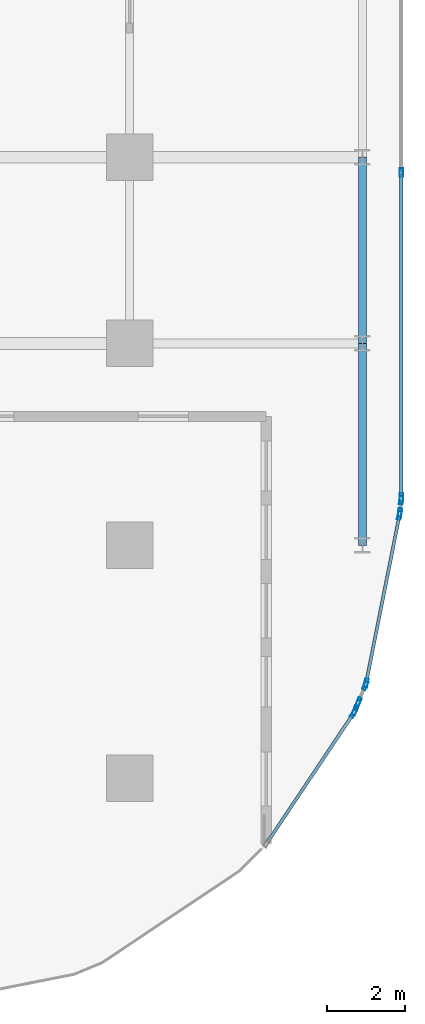
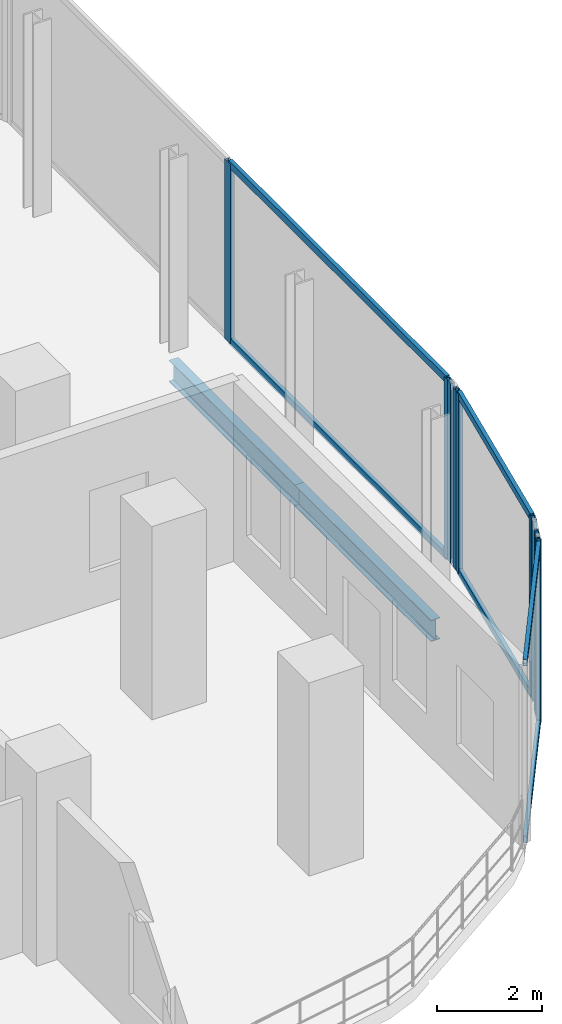
# One storey, part 19 of 30: 17 members, 2 beams, 6 elements without a shape of their own.
"""IFC4 building model written with IfcOpenShell, lengths in metres."""

from ifc_helpers import new_model, si_unit, direction, frame, origin, origin_2d, place, context, subcontext, project, spatial, hollow_rectangle, i_section, extrude, material, layer, layer_set, material_profile, profile_set, type_object, element, aggregate, save


model = new_model("IFC4")

# Units and contexts
model_context = context("Model", 3, precision=1e-05, world=origin(), true_north=direction((0.0, 1.0)))
body_context = subcontext(model_context, "Body", "Model", "MODEL_VIEW")
ifc_project = project(units=[si_unit("LENGTHUNIT", "METRE"), si_unit("AREAUNIT", "SQUARE_METRE"), si_unit("VOLUMEUNIT", "CUBIC_METRE"), si_unit("PLANEANGLEUNIT", "RADIAN"), si_unit("MASSUNIT", "GRAM", prefix="KILO")], contexts=[model_context])

# Site, building, storey
site_placement = place(None, origin())
site = spatial("IfcSite", under=ifc_project, at=site_placement, CompositionType="ELEMENT")
building_placement = place(site_placement, origin())
building = spatial("IfcBuilding", under=site, at=building_placement, Name="Keshet Zoharim Tower", CompositionType="ELEMENT")
storey_placement = place(building_placement, frame((0.0, 0.0, 65.60009765625)))
storey = spatial("IfcBuildingStorey", under=building, at=storey_placement, Name="L15", CompositionType="ELEMENT", Elevation=65.60009765625)

# Beams
ifc_material_1 = material(Name="Steel S355", Category="steel")
ifc_material_profile_1 = material_profile(ifc_material_1, i_section(OverallWidth=0.199951171875, OverallDepth=0.5, WebThickness=0.01025390625, FlangeThickness=0.01611328125, FilletRadius=0.02099609375, at=origin_2d()), Name="IPE500")
ifc_profile_set_1 = profile_set([ifc_material_profile_1], Name="Steel S355")
beam_type = type_object("IfcBeamType", Name="BM-PRI-IP500", PredefinedType="BEAM", material=ifc_profile_set_1)
beam_1_placement = place(storey_placement, frame((69.0, 12.699951171875, -0.570068359375), z_axis=(0.0, 1.0, 0.0), x_axis=(-1.0, 0.0, 0.0)))
element("IfcBeam", 1, at=beam_1_placement, inside=storey, type_object=beam_type, Name="L15 Primary Girder Y-021", PredefinedType="BEAM", context=body_context, shape_type="SweptSolid", body=[
    extrude(i_section(OverallWidth=0.199951171875, OverallDepth=0.5, WebThickness=0.01025390625, FlangeThickness=0.01611328125, FilletRadius=0.02099609375, at=origin_2d()), origin(), (0.0, 0.0, 1.0), 5.199951171875),
])
beam_2_placement = place(storey_placement, frame((69.0, 17.89990234375, -0.570068359375), z_axis=(0.0, 1.0, 0.0), x_axis=(-1.0, 0.0, 0.0)))
element("IfcBeam", 2, at=beam_2_placement, inside=storey, type_object=beam_type, Name="L15 Primary Girder Y-022", PredefinedType="BEAM", context=body_context, shape_type="SweptSolid", body=[
    extrude(i_section(OverallWidth=0.199951171875, OverallDepth=0.5, WebThickness=0.01025390625, FlangeThickness=0.01611328125, FilletRadius=0.02099609375, at=origin_2d()), origin(), (0.0, 0.0, 1.0), 4.800048828125),
])

# Curtain wall, members
ifc_material_2 = material(Name="Aluminium 6063-T6", Category="aluminium")
ifc_layer_1 = layer(ifc_material_2, 0.169921875)
ifc_layer_set_1 = layer_set([ifc_layer_1], Name="Aluminium 6063-T6")
curtain_wall_type_1 = type_object("IfcCurtainWallType", Name="CW-SYS-02", PredefinedType="NOTDEFINED", material=ifc_layer_set_1)
curtain_wall_1_placement = place(storey_placement, origin())
curtain_wall_1 = element("IfcCurtainWall", 3, at=curtain_wall_1_placement, inside=storey, type_object=curtain_wall_type_1, Name="L15 Unitised Curtain Wall 13", PredefinedType="NOTDEFINED")
ifc_material_profile_2 = material_profile(ifc_material_2, hollow_rectangle(XDim=0.090087890625, YDim=0.219970703125, WallThickness=0.0048828125, at=origin_2d()), Name="MUL-90x220")
ifc_profile_set_2 = profile_set([ifc_material_profile_2], Name="Aluminium 6063-T6")
member_type_1 = type_object("IfcMemberType", Name="CWM-M22", PredefinedType="MULLION", material=ifc_profile_set_2)
member_1_placement = place(storey_placement, frame((70.0, 22.298583984375, 0.0), z_axis=(0.0, 0.0, 1.0), x_axis=(1.0, 0.0, 0.0)))
member_1 = element("IfcMember", 4, at=member_1_placement, type_object=member_type_1, Name="CW-02 mullion 2", PredefinedType="MULLION", context=body_context, shape_type="SweptSolid", body=[
    extrude(hollow_rectangle(XDim=0.090087890625, YDim=0.219970703125, WallThickness=0.0048828125, at=origin_2d()), origin(), (0.0, 0.0, 1.0), 4.184814453125),
])
member_2_placement = place(storey_placement, frame((70.0, 13.931884765625, 0.0), z_axis=(0.0, 0.0, 1.0), x_axis=(1.0, 0.0, 0.0)))
member_2 = element("IfcMember", 5, at=member_2_placement, type_object=member_type_1, Name="CW-02 mullion 3", PredefinedType="MULLION", context=body_context, shape_type="SweptSolid", body=[
    extrude(hollow_rectangle(XDim=0.090087890625, YDim=0.219970703125, WallThickness=0.0048828125, at=origin_2d()), origin(), (0.0, 0.0, 1.0), 4.184814453125),
])

curtain_wall_2_placement = place(storey_placement, origin())
curtain_wall_2 = element("IfcCurtainWall", 6, at=curtain_wall_2_placement, inside=storey, type_object=curtain_wall_type_1, Name="L15 Unitised Curtain Wall 14", PredefinedType="NOTDEFINED")
member_3_placement = place(storey_placement, frame((69.99658203125, 13.862060546875, 0.0), z_axis=(0.0, 0.0, 1.0), x_axis=(0.995286657009, -0.096976648633, 0.0)))
member_3 = element("IfcMember", 7, at=member_3_placement, type_object=member_type_1, Name="CW-02 mullion 1", PredefinedType="MULLION", context=body_context, shape_type="SweptSolid", body=[
    extrude(hollow_rectangle(XDim=0.090087890625, YDim=0.219970703125, WallThickness=0.0048828125, at=origin_2d()), origin(), (0.0, 0.0, 1.0), 4.184814453125),
])
member_4_placement = place(storey_placement, frame((69.96533203125, 13.541748046875, 0.0), z_axis=(0.0, 0.0, 1.0), x_axis=(0.995286657009, -0.096976648633, 0.0)))
member_4 = element("IfcMember", 8, at=member_4_placement, type_object=member_type_1, Name="CW-02 mullion 2", PredefinedType="MULLION", context=body_context, shape_type="SweptSolid", body=[
    extrude(hollow_rectangle(XDim=0.090087890625, YDim=0.219970703125, WallThickness=0.0048828125, at=origin_2d()), origin(), (0.0, 0.0, 1.0), 4.184814453125),
])
aggregate(curtain_wall_2, [member_3, member_4])

curtain_wall_3_placement = place(storey_placement, origin())
curtain_wall_3 = element("IfcCurtainWall", 9, at=curtain_wall_3_placement, inside=storey, type_object=curtain_wall_type_1, Name="L15 Unitised Curtain Wall 15", PredefinedType="NOTDEFINED")
member_5_placement = place(storey_placement, frame((69.955078125, 13.47265625, 0.0), z_axis=(0.0, 0.0, 1.0), x_axis=(0.98076917357, -0.195171279072, 0.0)))
member_5 = element("IfcMember", 10, at=member_5_placement, type_object=member_type_1, Name="CW-02 mullion 1", PredefinedType="MULLION", context=body_context, shape_type="SweptSolid", body=[
    extrude(hollow_rectangle(XDim=0.090087890625, YDim=0.219970703125, WallThickness=0.0048828125, at=origin_2d()), origin(), (0.0, 0.0, 1.0), 4.184814453125),
])
member_6_placement = place(storey_placement, frame((69.0947265625, 9.1494140625, 0.0), z_axis=(0.0, 0.0, 1.0), x_axis=(0.98076917357, -0.195171279072, 0.0)))
member_6 = element("IfcMember", 11, at=member_6_placement, type_object=member_type_1, Name="CW-02 mullion 2", PredefinedType="MULLION", context=body_context, shape_type="SweptSolid", body=[
    extrude(hollow_rectangle(XDim=0.090087890625, YDim=0.219970703125, WallThickness=0.0048828125, at=origin_2d()), origin(), (0.0, 0.0, 1.0), 4.184814453125),
])

ifc_layer_2 = layer(ifc_material_2, 0.179931640625)
ifc_layer_set_2 = layer_set([ifc_layer_2], Name="Aluminium 6063-T6")
curtain_wall_type_2 = type_object("IfcCurtainWallType", Name="CW-SYS-01", PredefinedType="NOTDEFINED", material=ifc_layer_set_2)
curtain_wall_4_placement = place(storey_placement, origin())
curtain_wall_4 = element("IfcCurtainWall", 12, at=curtain_wall_4_placement, inside=storey, type_object=curtain_wall_type_2, Name="L15 Unitised Curtain Wall 16", PredefinedType="NOTDEFINED")
member_7_placement = place(storey_placement, frame((69.07470703125, 9.082763671875, 0.0), z_axis=(0.0, 0.0, 1.0), x_axis=(0.924040234727, -0.382295232255, 0.0)))
member_7 = element("IfcMember", 13, at=member_7_placement, type_object=member_type_1, Name="CW-01 mullion 1", PredefinedType="MULLION", context=body_context, shape_type="SweptSolid", body=[
    extrude(hollow_rectangle(XDim=0.090087890625, YDim=0.219970703125, WallThickness=0.0048828125, at=origin_2d()), origin(), (0.0, 0.0, 1.0), 4.184814453125),
])
member_8_placement = place(storey_placement, frame((68.90234375, 8.666259765625, 0.0), z_axis=(0.0, 0.0, 1.0), x_axis=(0.924040234727, -0.382295232255, 0.0)))
member_8 = element("IfcMember", 14, at=member_8_placement, type_object=member_type_1, Name="CW-01 mullion 2", PredefinedType="MULLION", context=body_context, shape_type="SweptSolid", body=[
    extrude(hollow_rectangle(XDim=0.090087890625, YDim=0.219970703125, WallThickness=0.0048828125, at=origin_2d()), origin(), (0.0, 0.0, 1.0), 4.184814453125),
])
aggregate(curtain_wall_4, [member_7, member_8])

curtain_wall_5_placement = place(storey_placement, origin())
curtain_wall_5 = element("IfcCurtainWall", 15, at=curtain_wall_5_placement, inside=storey, type_object=curtain_wall_type_2, Name="L15 Unitised Curtain Wall 17", PredefinedType="NOTDEFINED")
member_9_placement = place(storey_placement, frame((68.87548828125, 8.601806640625, 0.0), z_axis=(0.0, 0.0, 1.0), x_axis=(0.923076923077, -0.384615384615, 0.0)))
member_9 = element("IfcMember", 16, at=member_9_placement, type_object=member_type_1, Name="CW-01 mullion 1", PredefinedType="MULLION", context=body_context, shape_type="SweptSolid", body=[
    extrude(hollow_rectangle(XDim=0.090087890625, YDim=0.219970703125, WallThickness=0.0048828125, at=origin_2d()), origin(), (0.0, 0.0, 1.0), 4.184814453125),
])
member_10_placement = place(storey_placement, frame((68.802490234375, 8.42626953125, 0.0), z_axis=(0.0, 0.0, 1.0), x_axis=(0.923076923077, -0.384615384615, 0.0)))
member_10 = element("IfcMember", 17, at=member_10_placement, type_object=member_type_1, Name="CW-01 mullion 2", PredefinedType="MULLION", context=body_context, shape_type="SweptSolid", body=[
    extrude(hollow_rectangle(XDim=0.090087890625, YDim=0.219970703125, WallThickness=0.0048828125, at=origin_2d()), origin(), (0.0, 0.0, 1.0), 4.184814453125),
])
aggregate(curtain_wall_5, [member_9, member_10])

# Curtain wall, member
curtain_wall_6_placement = place(storey_placement, origin())
curtain_wall_6 = element("IfcCurtainWall", 18, at=curtain_wall_6_placement, inside=storey, type_object=curtain_wall_type_2, Name="L15 Unitised Curtain Wall 18", PredefinedType="NOTDEFINED")
member_11_placement = place(storey_placement, frame((68.76953125, 8.364990234375, 0.0), z_axis=(0.0, 0.0, 1.0), x_axis=(0.831484841728, -0.555547439897, 0.0)))
member_11 = element("IfcMember", 19, at=member_11_placement, type_object=member_type_1, Name="CW-01 mullion 1", PredefinedType="MULLION", context=body_context, shape_type="SweptSolid", body=[
    extrude(hollow_rectangle(XDim=0.090087890625, YDim=0.219970703125, WallThickness=0.0048828125, at=origin_2d()), origin(), (0.0, 0.0, 1.0), 4.184814453125),
])

# Member
ifc_material_profile_3 = material_profile(ifc_material_2, hollow_rectangle(XDim=0.0849609375, YDim=0.159912109375, WallThickness=0.00439453125, at=origin_2d()), Name="TRN-85x160")
ifc_profile_set_3 = profile_set([ifc_material_profile_3], Name="Aluminium 6063-T6")
member_type_2 = type_object("IfcMemberType", Name="CWT-T16", PredefinedType="USERDEFINED", material=ifc_profile_set_3)
member_12_placement = place(storey_placement, frame((70.0, 22.263427734375, 0.034912109375), z_axis=(0.0, -1.0, 0.0), x_axis=(1.0, 0.0, 0.0)))
member_12 = element("IfcMember", 20, at=member_12_placement, type_object=member_type_2, Name="CW-02 transom 2.1", ObjectType="TRANSOM", PredefinedType="USERDEFINED", context=body_context, shape_type="SweptSolid", body=[
    extrude(hollow_rectangle(XDim=0.0849609375, YDim=0.159912109375, WallThickness=0.00439453125, at=origin_2d()), origin(), (0.0, 0.0, 1.0), 8.29638671875),
])

member_13_placement = place(storey_placement, frame((70.0, 22.263427734375, 4.14990234375), z_axis=(0.0, -1.0, 0.0), x_axis=(1.0, 0.0, 0.0)))
member_13 = element("IfcMember", 21, at=member_13_placement, type_object=member_type_2, Name="CW-02 transom 2.2", ObjectType="TRANSOM", PredefinedType="USERDEFINED", context=body_context, shape_type="SweptSolid", body=[
    extrude(hollow_rectangle(XDim=0.0849609375, YDim=0.159912109375, WallThickness=0.00439453125, at=origin_2d()), origin(), (0.0, 0.0, 1.0), 8.29638671875),
])

aggregate(curtain_wall_1, [member_1, member_2, member_12, member_13])

member_14_placement = place(storey_placement, frame((69.9482421875, 13.438232421875, 0.034912109375), z_axis=(-0.195174459131, -0.980768540739, 0.0), x_axis=(0.980768540739, -0.195174459131, 0.0)))
member_14 = element("IfcMember", 22, at=member_14_placement, type_object=member_type_2, Name="CW-02 transom 1.1", ObjectType="TRANSOM", PredefinedType="USERDEFINED", context=body_context, shape_type="SweptSolid", body=[
    extrude(hollow_rectangle(XDim=0.0849609375, YDim=0.159912109375, WallThickness=0.00439453125, at=origin_2d()), origin(), (0.0, 0.0, 1.0), 4.338134765625),
])

member_15_placement = place(storey_placement, frame((69.9482421875, 13.438232421875, 4.14990234375), z_axis=(-0.195174459131, -0.980768540739, 0.0), x_axis=(0.980768540739, -0.195174459131, 0.0)))
member_15 = element("IfcMember", 23, at=member_15_placement, type_object=member_type_2, Name="CW-02 transom 1.2", ObjectType="TRANSOM", PredefinedType="USERDEFINED", context=body_context, shape_type="SweptSolid", body=[
    extrude(hollow_rectangle(XDim=0.0849609375, YDim=0.159912109375, WallThickness=0.00439453125, at=origin_2d()), origin(), (0.0, 0.0, 1.0), 4.338134765625),
])

aggregate(curtain_wall_3, [member_5, member_6, member_14, member_15])

member_16_placement = place(storey_placement, frame((68.75, 8.335693359375, 0.034912109375), z_axis=(-0.555542689102, -0.8314880159, 0.0), x_axis=(0.8314880159, -0.555542689102, 0.0)))
member_16 = element("IfcMember", 24, at=member_16_placement, type_object=member_type_2, Name="CW-01 transom 1.1", ObjectType="TRANSOM", PredefinedType="USERDEFINED", context=body_context, shape_type="SweptSolid", body=[
    extrude(hollow_rectangle(XDim=0.0849609375, YDim=0.159912109375, WallThickness=0.00439453125, at=origin_2d()), origin(), (0.0, 0.0, 1.0), 3.944091796875),
])

member_17_placement = place(storey_placement, frame((68.75, 8.335693359375, 4.14990234375), z_axis=(-0.555542689102, -0.8314880159, 0.0), x_axis=(0.8314880159, -0.555542689102, 0.0)))
member_17 = element("IfcMember", 25, at=member_17_placement, type_object=member_type_2, Name="CW-01 transom 1.2", ObjectType="TRANSOM", PredefinedType="USERDEFINED", context=body_context, shape_type="SweptSolid", body=[
    extrude(hollow_rectangle(XDim=0.0849609375, YDim=0.159912109375, WallThickness=0.00439453125, at=origin_2d()), origin(), (0.0, 0.0, 1.0), 3.944091796875),
])

aggregate(curtain_wall_6, [member_11, member_16, member_17])

save(model, "model.ifc")
